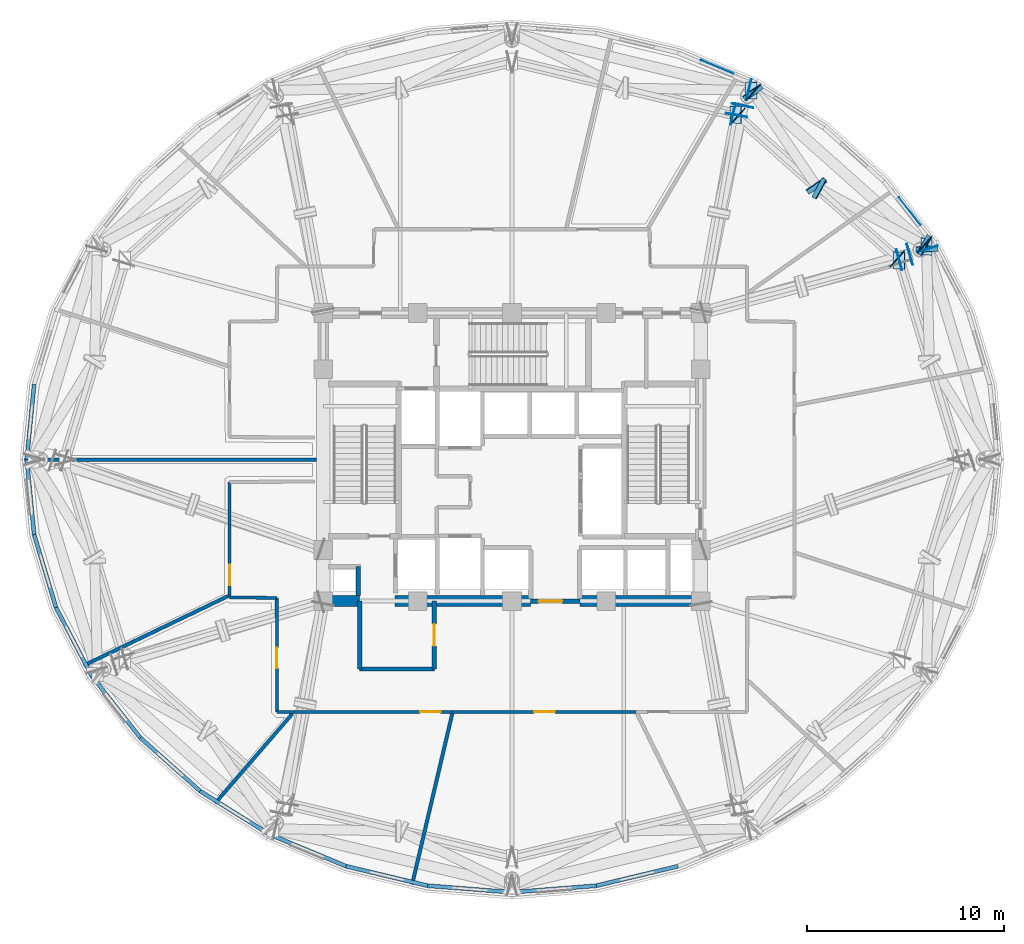
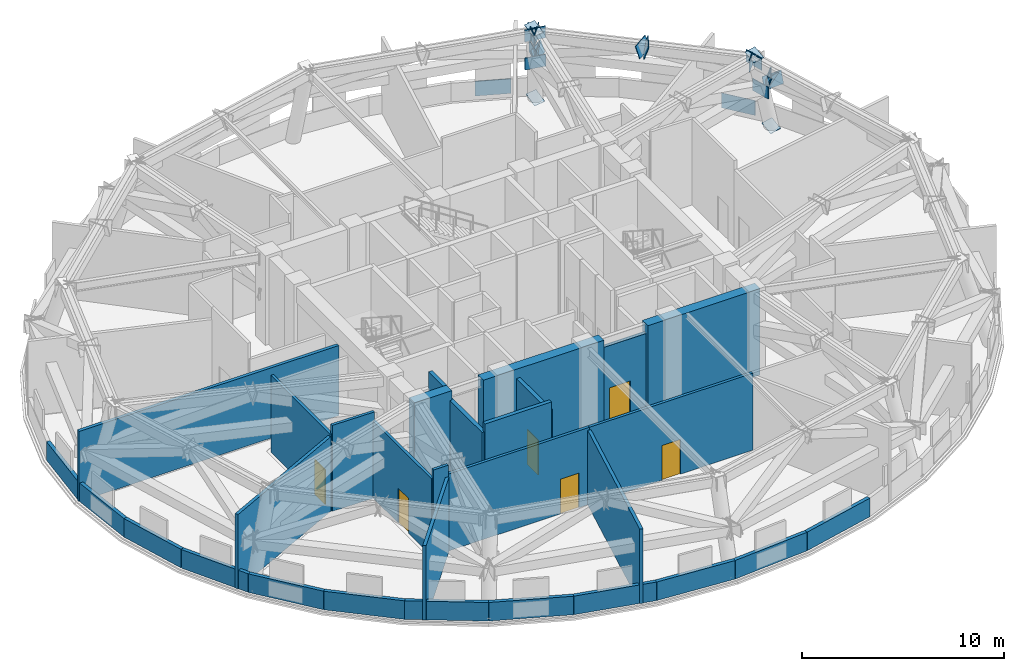
# One storey, part 6 of 13: 30 walls, 22 plates, 6 doors, 6 openings.
"""IFC4 building model written with IfcOpenShell, lengths in metres."""

from ifc_helpers import new_model, si_unit, direction, frame, frame_2d, origin, origin_2d, place, context, subcontext, project, spatial, polyline, rectangle, outline, extrude, material, layer, layer_set, type_object, element, fill, save


model = new_model("IFC4")

# Units and contexts
model_context = context("Model", 3, precision=1e-05, world=origin(), true_north=direction((0.0, 1.0)))
body_context = subcontext(model_context, "Body", "Model", "MODEL_VIEW")
ifc_project = project(units=[si_unit("LENGTHUNIT", "METRE"), si_unit("AREAUNIT", "SQUARE_METRE"), si_unit("VOLUMEUNIT", "CUBIC_METRE"), si_unit("PLANEANGLEUNIT", "RADIAN"), si_unit("MASSUNIT", "GRAM", prefix="KILO")], contexts=[model_context])

# Site, building, storey
site_placement = place(None, origin())
site = spatial("IfcSite", under=ifc_project, at=site_placement, CompositionType="ELEMENT")
building_placement = place(site_placement, origin())
building = spatial("IfcBuilding", under=site, at=building_placement, Name="Vantalir Tower", CompositionType="ELEMENT")
storey_placement = place(building_placement, frame((0.0, 0.0, 175.949951171875)))
storey = spatial("IfcBuildingStorey", under=building, at=storey_placement, Name="L44", CompositionType="ELEMENT", Elevation=175.949951171875)

# Plates
ifc_material_1 = material(Name="Steel S460", Category="steel")
ifc_layer_1 = layer(ifc_material_1, 0.044921875)
ifc_layer_set_1 = layer_set([ifc_layer_1], Name="Steel S460")
plate_type_1 = type_object("IfcPlateType", Name="PLT-BN-01", PredefinedType="USERDEFINED", material=ifc_layer_set_1)
plate_1_placement = place(storey_placement, frame((52.626953125, 35.7119140625, 2.4599609375), z_axis=(0.0, 0.0, 1.0), x_axis=(-0.28812941634, 0.957591478366, 0.0)))
element("IfcPlate", 1, at=plate_1_placement, inside=storey, type_object=plate_type_1, Name="Node Cap Plate MEM-L44-BTCB-01 End", ObjectType="FLANGE_PLATE", PredefinedType="USERDEFINED", context=body_context, shape_type="SweptSolid", body=[
    extrude(rectangle(XDim=0.044921875, YDim=1.10009765625, at=origin_2d()), origin(), (0.0, 0.0, 1.0), 0.719970703125),
])
plate_2_placement = place(storey_placement, frame((52.044677734375, 35.556396484375, 2.53564453125), z_axis=(0.022530398659, -0.939601070003, 0.341529223326), x_axis=(0.999712635233, 0.023971794983, 0.0)))
element("IfcPlate", 2, at=plate_2_placement, inside=storey, type_object=plate_type_1, Name="Node Cap Plate MEM-L44-BTDG-01B Start", ObjectType="FLANGE_PLATE", PredefinedType="USERDEFINED", context=body_context, shape_type="SweptSolid", body=[
    extrude(outline(polyline([(0.0, 0.0), (1.0999254548216215, 0.0), (1.0999612200322357, 0.7200538161872801), (3.5765210614329966e-05, 0.7200538161872801), (0.0, 0.0)])), origin(), (0.0, 0.0, -1.0), 0.044921875),
])
for number, where, z_axis, x_axis, name in (
    (3, (52.487060546875, 35.930908203125, 2.4599609375), (0.0, 0.0, 1.0), (-0.746858739968, 0.664982723485, 0.0), "Node Cap Plate MEM-L44-BTCB-02 Start"),
    (4, (43.77587890625, 43.68701171875, 2.4599609375), (0.0, 0.0, 1.0), (-0.746858739968, 0.664982723485, 0.0), "Node Cap Plate MEM-L44-BTCB-02 End"),
    (5, (51.10107421875, 35.217041015625, 4.56005859375), (0.0, 0.0, 1.0), (-0.7469051627, 0.664930581288, 0.0), "Node Cap Plate MEM-L44-BTCT-02 Start"),
    (6, (42.97607421875, 42.449951171875, 4.56005859375), (0.0, 0.0, 1.0), (-0.7469051627, 0.664930581288, 0.0), "Node Cap Plate MEM-L44-BTCT-02 End"),
):
    element("IfcPlate", number, at=place(storey_placement, frame(where, z_axis=z_axis, x_axis=x_axis)), inside=storey, type_object=plate_type_1, Name=name, ObjectType="FLANGE_PLATE", PredefinedType="USERDEFINED", context=body_context, shape_type="SweptSolid", body=[
        extrude(rectangle(XDim=0.044921875, YDim=1.10009765625, at=origin_2d()), origin(), (0.0, 0.0, 1.0), 0.719970703125),
    ])
plate_3_placement = place(storey_placement, frame((52.616943359375, 36.4501953125, 2.5283203125), z_axis=(-0.835172745071, 0.450226759698, 0.315883444869), x_axis=(-0.474523300623, -0.880242942128, 0.0)))
element("IfcPlate", 7, at=plate_3_placement, inside=storey, type_object=plate_type_1, Name="Node Cap Plate MEM-L44-BTDG-02A Start", ObjectType="FLANGE_PLATE", PredefinedType="USERDEFINED", context=body_context, shape_type="SweptSolid", body=[
    extrude(outline(polyline([(0.0, 0.0), (1.0999937317409516, 2.7755575615628914e-17), (1.0999835447072492, 0.7199693370562762), (-1.0187033702493964e-05, 0.7199693370562762), (0.0, 0.0)])), origin(), (0.0, 0.0, -1.0), 0.044921875),
])
plate_4_placement = place(storey_placement, frame((47.268798828125, 39.334228515625, 4.55224609375), z_axis=(-0.835084781028, 0.450389900811, 0.315883436955), x_axis=(-0.474695244348, -0.880150228651, 0.0)))
element("IfcPlate", 8, at=plate_4_placement, inside=storey, type_object=plate_type_1, Name="Node Cap Plate MEM-L44-BTDG-02A End", ObjectType="FLANGE_PLATE", PredefinedType="USERDEFINED", context=body_context, shape_type="SweptSolid", body=[
    extrude(outline(polyline([(0.0, 0.0), (1.1001096031464725, 2.7755575615628914e-17), (1.1000549890591473, 0.7199693350569389), (-5.4614087325252636e-05, 0.7199693350569389), (0.0, 0.0)])), origin(), (0.0, 0.0, -1.0), 0.044921875),
])
plate_5_placement = place(storey_placement, frame((43.371337890625, 43.245849609375, 2.53271484375), z_axis=(0.530779378566, -0.780095949954, 0.331245468128), x_axis=(0.826777325998, 0.562529334696, -2.8678365e-05)))
element("IfcPlate", 9, at=plate_5_placement, inside=storey, type_object=plate_type_1, Name="Node Cap Plate MEM-L44-BTDG-02B Start", ObjectType="FLANGE_PLATE", PredefinedType="USERDEFINED", context=body_context, shape_type="SweptSolid", body=[
    extrude(outline(polyline([(0.0, 0.0), (1.099901092153654, 2.7755575615628914e-17), (1.0998318444108621, 0.7201301247598484), (-0.00020658400614543152, 0.7200632591679851), (0.0, 0.0)])), origin(), (0.0, 0.0, -1.0), 0.044921875),
])
plate_6_placement = place(storey_placement, frame((46.60693359375, 38.490234375, 4.552978515625), z_axis=(0.530662207426, -0.780077633252, 0.331476255123), x_axis=(0.826823276387, 0.562461793924, 0.0)))
element("IfcPlate", 10, at=plate_6_placement, inside=storey, type_object=plate_type_1, Name="Node Cap Plate MEM-L44-BTDG-02B End", ObjectType="FLANGE_PLATE", PredefinedType="USERDEFINED", context=body_context, shape_type="SweptSolid", body=[
    extrude(outline(polyline([(0.0, 0.0), (1.0999010962758868, 5.551115123125783e-17), (1.0998318402888887, 0.7198997887243856), (-6.925598699818042e-05, 0.7198997887243856), (0.0, 0.0)])), origin(), (0.0, 0.0, -1.0), 0.044921875),
])
for number, where, z_axis, x_axis, name in (
    (11, (43.5439453125, 43.80810546875, 2.4599609375), (0.0, 0.0, 1.0), (-0.972694923667, 0.232087452208, 0.0), "Node Cap Plate MEM-L44-BTCB-03 Start"),
    (12, (42.743896484375, 42.571044921875, 4.56005859375), (0.0, 0.0, 1.0), (-0.972694923667, 0.232087452208, 0.0), "Node Cap Plate MEM-L44-BTCT-03 Start"),
    (13, (51.73388671875, 35.431884765625, 2.4599609375), (0.0, 0.0, 1.0), (0.962866291826, 0.269978710392, 0.0), "Node Cap Plate MEM-L44-ORCB-02 End"),
    (14, (51.195068359375, 35.156005859375, 4.56005859375), (0.0, 0.0, 1.0), (0.965912273231, 0.258869620506, 0.0), "Node Cap Plate MEM-L44-ORCT-02 End"),
    (15, (43.22998046875, 42.9990234375, 2.4599609375), (0.0, 0.0, 1.0), (0.197965291892, 0.980209030363, 0.0), "Node Cap Plate MEM-L44-ORCB-03 End"),
    (16, (42.922119140625, 42.51708984375, 4.56005859375), (0.0, 0.0, 1.0), (0.178098116029, 0.9840127342, 0.0), "Node Cap Plate MEM-L44-ORCT-03 End"),
):
    element("IfcPlate", number, at=place(storey_placement, frame(where, z_axis=z_axis, x_axis=x_axis)), inside=storey, type_object=plate_type_1, Name=name, ObjectType="FLANGE_PLATE", PredefinedType="USERDEFINED", context=body_context, shape_type="SweptSolid", body=[
        extrude(rectangle(XDim=0.044921875, YDim=1.10009765625, at=origin_2d()), origin(), (0.0, 0.0, 1.0), 0.719970703125),
    ])
ifc_layer_2 = layer(ifc_material_1, 0.035888671875)
ifc_layer_set_2 = layer_set([ifc_layer_2], Name="Steel S460")
plate_type_2 = type_object("IfcPlateType", Name="PLT-KN-Z2", PredefinedType="USERDEFINED", material=ifc_layer_set_2)
for number, where, z_axis, x_axis, name in (
    (17, (50.914306640625, 35.5693359375, 5.2333984375), (-0.254239181281, -0.131080684751, 0.958217247177), (3.3796273e-05, -0.990773878763, -0.135525348252), "L44 Ring Column Top Cap RC02"),
    (18, (52.2939453125, 36.280029296875, 0.037353515625), (-0.254239181281, -0.131080684751, 0.958217247177), (3.3796273e-05, -0.990773878763, -0.135525348252), "L44 Ring Column Base Cap RC02"),
):
    element("IfcPlate", number, at=place(storey_placement, frame(where, z_axis=z_axis, x_axis=x_axis)), inside=storey, type_object=plate_type_2, Name=name, ObjectType="FLANGE_PLATE", PredefinedType="USERDEFINED", context=body_context, shape_type="SweptSolid", body=[
        extrude(outline(polyline([(0.0, 0.0), (0.8799291726097362, 0.0), (0.8799967906854752, 0.5800655732898081), (3.4530832513243737e-05, 0.5801270718175938), (0.0, 0.0)])), origin(), (0.0, 0.0, -1.0), 0.035888671875),
    ])
plate_7_placement = place(storey_placement, frame((42.583984375, 42.9716796875, 5.306884765625), z_axis=(-0.147464842294, -0.228018554352, 0.962424884944), x_axis=(4.663515e-06, -0.973063253903, -0.230538291574)))
element("IfcPlate", 19, at=plate_7_placement, inside=storey, type_object=plate_type_2, Name="L44 Ring Column Top Cap RC03", ObjectType="FLANGE_PLATE", PredefinedType="USERDEFINED", context=body_context, shape_type="SweptSolid", body=[
    extrude(outline(polyline([(0.0, 0.0), (0.8801472692846426, 0.0), (0.8799623235195255, 0.5800680763652664), (5.2618505855358405e-05, 0.5800763751456683), (0.0, 0.0)])), origin(), (0.0, 0.0, -1.0), 0.035888671875),
])
plate_8_placement = place(storey_placement, frame((43.38037109375, 44.202880859375, 0.11083984375), z_axis=(-0.147512303995, -0.228047703414, 0.96241070502), x_axis=(0.0, -0.973055719843, -0.230570089304)))
element("IfcPlate", 20, at=plate_8_placement, inside=storey, type_object=plate_type_2, Name="L44 Ring Column Base Cap RC03", ObjectType="FLANGE_PLATE", PredefinedType="USERDEFINED", context=body_context, shape_type="SweptSolid", body=[
    extrude(outline(polyline([(0.0, 0.0), (0.8799097054930477, 0.0), (0.8799568521860602, 0.580076376284005), (4.714669301258273e-05, 0.580076376284005), (0.0, 0.0)])), origin(), (0.0, 0.0, -1.0), 0.035888671875),
])
ifc_material_2 = material(Name="Champagne-silver PVDF aluminium cassette", Category="aluminium")
ifc_layer_3 = layer(ifc_material_2, 0.02392578125)
ifc_layer_set_3 = layer_set([ifc_layer_3], Name="Champagne-silver PVDF aluminium cassette")
plate_type_3 = type_object("IfcPlateType", Name="PLT-SC-01", PredefinedType="SHEET", material=ifc_layer_set_3)
for number, where, z_axis, x_axis, name in (
    (21, (51.73193359375, 37.635009765625, 0.10009765625), (0.0, 0.0, 1.0), (-0.617585109014, 0.78650405792, 0.0), "L44 PVDF Aluminium Spandrel Cassette R04"),
    (22, (41.94091796875, 44.969970703125, 0.10009765625), (0.0, 0.0, 1.0), (-0.923290683488, 0.384101957537, 0.0), "L44 PVDF Aluminium Spandrel Cassette R07"),
):
    element("IfcPlate", number, at=place(storey_placement, frame(where, z_axis=z_axis, x_axis=x_axis)), inside=storey, type_object=plate_type_3, Name=name, PredefinedType="SHEET", context=body_context, shape_type="SweptSolid", body=[
        extrude(rectangle(XDim=1.800048828125, YDim=0.02392578125, at=origin_2d()), origin(), (0.0, 0.0, 1.0), 0.89990234375),
    ])

# Walls
ifc_material_3 = material(Name="Concrete C60/75", Category="concrete")
ifc_layer_4 = layer(ifc_material_3, 0.550048828125)
ifc_layer_set_4 = layer_set([ifc_layer_4], Name="Concrete C60/75")
wall_type_1 = type_object("IfcWallType", Name="WL-CORE-550", PredefinedType="SHEAR", material=ifc_layer_set_4)
wall_1_placement = place(storey_placement, frame((21.625, 17.800048828125, 0.0), z_axis=(0.0, 0.0, 1.0), x_axis=(1.0, 0.0, 0.0)))
element("IfcWall", 23, at=wall_1_placement, inside=storey, type_object=wall_type_1, Name="L44 Core Shear Wall South-West", PredefinedType="SHEAR", context=body_context, shape_type="SweptSolid", body=[
    extrude(rectangle(XDim=2.125, YDim=0.550048828125, at=frame_2d((1.0625, 0.0))), origin(), (0.0, 0.0, 1.0), 5.219970703125),
])
wall_2_placement = place(storey_placement, frame((25.550048828125, 17.800048828125, 0.0), z_axis=(0.0, 0.0, 1.0), x_axis=(1.0, 0.0, 0.0)))
element("IfcWall", 24, at=wall_2_placement, inside=storey, type_object=wall_type_1, Name="L44 Core Shear Wall South-Mid", PredefinedType="SHEAR", context=body_context, shape_type="SweptSolid", body=[
    extrude(rectangle(XDim=6.89990234375, YDim=0.550048828125, at=frame_2d((3.449951171875, 0.0))), origin(), (0.0, 0.0, 1.0), 5.219970703125),
])
wall_3_placement = place(storey_placement, frame((34.949951171875, 17.800048828125, 0.0), z_axis=(0.0, 0.0, 1.0), x_axis=(1.0, 0.0, 0.0)))
element("IfcWall", 25, at=wall_3_placement, inside=storey, type_object=wall_type_1, Name="L44 Core Shear Wall South-East", PredefinedType="SHEAR", context=body_context, shape_type="SweptSolid", body=[
    extrude(rectangle(XDim=6.425048828125, YDim=0.550048828125, at=frame_2d((3.21240234375, 0.0))), origin(), (0.0, 0.0, 1.0), 5.219970703125),
])

# Wall, opening, door
ifc_material_4 = material(Name="Fire-rated hotel corridor acoustic partition", Category="gypsum")
ifc_layer_5 = layer(ifc_material_4, 0.159912109375)
ifc_layer_set_5 = layer_set([ifc_layer_5], Name="Fire-rated hotel corridor acoustic partition")
wall_type_2 = type_object("IfcWallType", Name="WL-CORR-160", PredefinedType="PARTITIONING", material=ifc_layer_set_5)
wall_4_placement = place(storey_placement, frame((37.819091796875, 12.1650390625, 0.0), z_axis=(0.0, 0.0, 1.0), x_axis=(-0.999999901209, -0.000444502505, 0.0)))
wall_4 = element("IfcWall", 26, at=wall_4_placement, inside=storey, type_object=wall_type_2, Name="L44 Corridor Partition 24", PredefinedType="PARTITIONING", context=body_context, shape_type="SweptSolid", body=[
    extrude(rectangle(XDim=9.337158203125, YDim=0.159912109375, at=frame_2d((4.66845703125, 0.0))), origin(), (0.0, 0.0, 1.0), 4.656005859375),
])
opening_1_placement = place(wall_4_placement, frame((4.14404296875, 0.0, 0.0)))
opening_1 = element("IfcOpeningElement", 27, at=opening_1_placement, cuts=wall_4, Name="Opening D-ST", PredefinedType="OPENING", context=body_context, shape_type="SweptSolid", body=[
    extrude(rectangle(XDim=1.050048828125, YDim=2.10009765625, at=frame_2d((0.52490234375, 1.050048828125))), frame((0.0, 0.08984375, 0.0), z_axis=(0.0, -1.0, 0.0), x_axis=(1.0, 0.0, 0.0)), (0.0, 0.0, 1.0), 0.179931640625),
])
ifc_material_5 = material(Name="Fire-rated steel door leaf", Category="steel")
door_type_1 = type_object("IfcDoorType", Name="DR-FIRE-STAIR-1050", OperationType="NOTDEFINED", PredefinedType="DOOR", material=ifc_material_5)
door_1_placement = place(opening_1_placement, origin())
door_1 = element("IfcDoor", 28, at=door_1_placement, inside=storey, type_object=door_type_1, Name="L44 Refuge Area South Door", OperationType="SINGLE_SWING_RIGHT", OverallHeight=2.10009765625, OverallWidth=1.050048828125, PredefinedType="DOOR", context=body_context, shape_type="SweptSolid", body=[
    extrude(rectangle(XDim=1.050048828125, YDim=2.10009765625, at=frame_2d((0.52490234375, 1.050048828125))), frame((0.0, 0.02490234375, 0.0), z_axis=(0.0, -1.0, 0.0), x_axis=(1.0, 0.0, 0.0)), (0.0, 0.0, 1.0), 0.050048828125),
])
fill(opening_1, door_1)

wall_5_placement = place(storey_placement, frame((28.48193359375, 12.160888671875, 0.0), z_axis=(0.0, 0.0, 1.0), x_axis=(-0.99999988305, -0.00048363202, 0.0)))
wall_5 = element("IfcWall", 29, at=wall_5_placement, inside=storey, type_object=wall_type_2, Name="L44 Corridor Partition 25", PredefinedType="PARTITIONING", context=body_context, shape_type="SweptSolid", body=[
    extrude(rectangle(XDim=8.076904296875, YDim=0.159912109375, at=frame_2d((4.03857421875, 0.0))), origin(), (0.0, 0.0, 1.0), 4.656005859375),
])
opening_2_placement = place(wall_5_placement, frame((0.60693359375, 0.0, 0.0)))
opening_2 = element("IfcOpeningElement", 30, at=opening_2_placement, cuts=wall_5, Name="Opening D-ST", PredefinedType="OPENING", context=body_context, shape_type="SweptSolid", body=[
    extrude(rectangle(XDim=1.050048828125, YDim=2.10009765625, at=frame_2d((0.52490234375, 1.050048828125))), frame((0.0, 0.08984375, 0.0), z_axis=(0.0, -1.0, 0.0), x_axis=(1.0, 0.0, 0.0)), (0.0, 0.0, 1.0), 0.179931640625),
])
door_2_placement = place(opening_2_placement, origin())
door_2 = element("IfcDoor", 31, at=door_2_placement, inside=storey, type_object=door_type_1, Name="L44 Emergency UPS Battery Plant Room Door", OperationType="SINGLE_SWING_LEFT", OverallHeight=2.10009765625, OverallWidth=1.050048828125, PredefinedType="DOOR", context=body_context, shape_type="SweptSolid", body=[
    extrude(rectangle(XDim=1.050048828125, YDim=2.10009765625, at=frame_2d((0.52490234375, 1.050048828125))), frame((0.0, 0.02490234375, 0.0), z_axis=(0.0, -1.0, 0.0), x_axis=(1.0, 0.0, 0.0)), (0.0, 0.0, 1.0), 0.050048828125),
])
fill(opening_2, door_2)

# Wall
wall_6_placement = place(storey_placement, frame((20.405029296875, 12.156982421875, 0.0), z_axis=(0.0, 0.0, 1.0), x_axis=(-1.0, 0.0, 0.0)))
element("IfcWall", 32, at=wall_6_placement, inside=storey, type_object=wall_type_2, Name="L44 Corridor Partition 26", PredefinedType="PARTITIONING", context=body_context, shape_type="SweptSolid", body=[
    extrude(rectangle(XDim=0.85205078125, YDim=0.159912109375, at=frame_2d((0.426025390625, 0.0))), origin(), (0.0, 0.0, 1.0), 5.199951171875),
])

# Wall, opening, door
wall_7_placement = place(storey_placement, frame((19.552978515625, 12.156982421875, 0.0), z_axis=(0.0, 0.0, 1.0), x_axis=(-0.003113283747, 0.99999515372, 0.0)))
wall_7 = element("IfcWall", 33, at=wall_7_placement, inside=storey, type_object=wall_type_2, Name="L44 Corridor Partition 27", PredefinedType="PARTITIONING", context=body_context, shape_type="SweptSolid", body=[
    extrude(rectangle(XDim=5.802978515625, YDim=0.159912109375, at=frame_2d((2.9013671875, 0.0))), origin(), (0.0, 0.0, 1.0), 4.656005859375),
])
opening_3_placement = place(wall_7_placement, frame((2.22900390625, 0.0, 0.0)))
opening_3 = element("IfcOpeningElement", 34, at=opening_3_placement, cuts=wall_7, Name="Opening D-ST", PredefinedType="OPENING", context=body_context, shape_type="SweptSolid", body=[
    extrude(rectangle(XDim=1.050048828125, YDim=2.10009765625, at=frame_2d((0.52490234375, 1.050048828125))), frame((0.0, 0.08984375, 0.0), z_axis=(0.0, -1.0, 0.0), x_axis=(1.0, 0.0, 0.0)), (0.0, 0.0, 1.0), 0.179931640625),
])
door_3_placement = place(opening_3_placement, origin())
door_3 = element("IfcDoor", 35, at=door_3_placement, inside=storey, type_object=door_type_1, Name="L44 HV Transformer Electrical Plant Room Door", OperationType="SINGLE_SWING_RIGHT", OverallHeight=2.10009765625, OverallWidth=1.050048828125, PredefinedType="DOOR", context=body_context, shape_type="SweptSolid", body=[
    extrude(rectangle(XDim=1.050048828125, YDim=2.10009765625, at=frame_2d((0.52490234375, 1.050048828125))), frame((0.0, 0.02490234375, 0.0), z_axis=(0.0, -1.0, 0.0), x_axis=(1.0, 0.0, 0.0)), (0.0, 0.0, 1.0), 0.050048828125),
])
fill(opening_3, door_3)

# Wall
wall_8_placement = place(storey_placement, frame((19.534912109375, 17.9599609375, 0.0), z_axis=(0.0, 0.0, 1.0), x_axis=(-0.999911141048, 0.013330791724, 0.0)))
element("IfcWall", 36, at=wall_8_placement, inside=storey, type_object=wall_type_2, Name="L44 Corridor Partition 28", PredefinedType="PARTITIONING", context=body_context, shape_type="SweptSolid", body=[
    extrude(rectangle(XDim=2.399169921875, YDim=0.159912109375, at=frame_2d((1.19970703125, 0.0))), origin(), (0.0, 0.0, 1.0), 5.199951171875),
])

# Wall, opening, door
wall_9_placement = place(storey_placement, frame((17.135986328125, 17.991943359375, 0.0), z_axis=(0.0, 0.0, 1.0), x_axis=(0.0, 1.0, 0.0)))
wall_9 = element("IfcWall", 37, at=wall_9_placement, inside=storey, type_object=wall_type_2, Name="L44 Corridor Partition 29", PredefinedType="PARTITIONING", context=body_context, shape_type="SweptSolid", body=[
    extrude(rectangle(XDim=5.865966796875, YDim=0.159912109375, at=frame_2d((2.93310546875, 0.0))), origin(), (0.0, 0.0, 1.0), 4.656005859375),
])
opening_4_placement = place(wall_9_placement, frame((0.610107421875, 0.0, 0.0)))
opening_4 = element("IfcOpeningElement", 38, at=opening_4_placement, cuts=wall_9, Name="Opening D-ST", PredefinedType="OPENING", context=body_context, shape_type="SweptSolid", body=[
    extrude(rectangle(XDim=1.050048828125, YDim=2.10009765625, at=frame_2d((0.52490234375, 1.050048828125))), frame((0.0, 0.08984375, 0.0), z_axis=(0.0, -1.0, 0.0), x_axis=(1.0, 0.0, 0.0)), (0.0, 0.0, 1.0), 0.179931640625),
])
door_4_placement = place(opening_4_placement, origin())
door_4 = element("IfcDoor", 39, at=door_4_placement, inside=storey, type_object=door_type_1, Name="L44 West Air Handling Plant Room Door", OperationType="SINGLE_SWING_LEFT", OverallHeight=2.10009765625, OverallWidth=1.050048828125, PredefinedType="DOOR", context=body_context, shape_type="SweptSolid", body=[
    extrude(rectangle(XDim=1.050048828125, YDim=2.10009765625, at=frame_2d((0.52490234375, 1.050048828125))), frame((0.0, 0.02490234375, 0.0), z_axis=(0.0, -1.0, 0.0), x_axis=(1.0, 0.0, 0.0)), (0.0, 0.0, 1.0), 0.050048828125),
])
fill(opening_4, door_4)

ifc_material_6 = material(Name="Concrete blockwork with fireboard lining", Category="masonry")
ifc_layer_6 = layer(ifc_material_6, 0.219970703125)
ifc_layer_set_6 = layer_set([ifc_layer_6], Name="Concrete blockwork with fireboard lining")
wall_type_3 = type_object("IfcWallType", Name="WL-FFL-220", PredefinedType="PARTITIONING", material=ifc_layer_set_6)
wall_10_placement = place(storey_placement, frame((32.449951171875, 17.800048828125, 0.0), z_axis=(0.0, 0.0, 1.0), x_axis=(1.0, 0.0, 0.0)))
wall_10 = element("IfcWall", 40, at=wall_10_placement, inside=storey, type_object=wall_type_3, Name="L44 Passenger Lift Lobby South Wall", PredefinedType="PARTITIONING", context=body_context, shape_type="SweptSolid", body=[
    extrude(rectangle(XDim=2.5, YDim=0.219970703125, at=frame_2d((1.25, 0.0))), origin(), (0.0, 0.0, 1.0), 4.656005859375),
])
opening_5_placement = place(wall_10_placement, frame((0.39990234375, 0.0, 0.0)))
opening_5 = element("IfcOpeningElement", 41, at=opening_5_placement, cuts=wall_10, Name="Opening D-STE", PredefinedType="OPENING", context=body_context, shape_type="SweptSolid", body=[
    extrude(rectangle(XDim=1.199951171875, YDim=2.10009765625, at=frame_2d((0.60009765625, 1.050048828125))), frame((0.0, 0.119873046875, 0.0), z_axis=(0.0, -1.0, 0.0), x_axis=(1.0, 0.0, 0.0)), (0.0, 0.0, 1.0), 0.239990234375),
])
ifc_material_7 = material(Name="Solid-core teak veneer suite entrance door", Category="wood")
door_type_2 = type_object("IfcDoorType", Name="DR-SUITE-ENTRY-1200", OperationType="NOTDEFINED", PredefinedType="DOOR", material=ifc_material_7)
door_5_placement = place(opening_5_placement, origin())
door_5 = element("IfcDoor", 42, at=door_5_placement, inside=storey, type_object=door_type_2, Name="L44 Passenger Lift Lobby Concourse Door", OperationType="SINGLE_SWING_LEFT", OverallHeight=2.10009765625, OverallWidth=1.199951171875, PredefinedType="DOOR", context=body_context, shape_type="SweptSolid", body=[
    extrude(rectangle(XDim=1.199951171875, YDim=2.10009765625, at=frame_2d((0.60009765625, 1.050048828125))), frame((0.0, 0.02490234375, 0.0), z_axis=(0.0, -1.0, 0.0), x_axis=(1.0, 0.0, 0.0)), (0.0, 0.0, 1.0), 0.050048828125),
])
fill(opening_5, door_5)

# Walls
wall_11_placement = place(storey_placement, frame((23.679931640625, 18.074951171875, 0.0), z_axis=(0.0, 0.0, 1.0), x_axis=(0.0, 1.0, 0.0)))
element("IfcWall", 43, at=wall_11_placement, inside=storey, type_object=wall_type_3, Name="L44 West MEP Riser Wall E", PredefinedType="PARTITIONING", context=body_context, shape_type="SweptSolid", body=[
    extrude(rectangle(XDim=1.47509765625, YDim=0.219970703125, at=frame_2d((0.737548828125, 0.0))), origin(), (0.0, 0.0, 1.0), 5.199951171875),
])
wall_12_placement = place(storey_placement, frame((23.75, 14.35009765625, 0.0), z_axis=(0.0, 0.0, 1.0), x_axis=(0.0, 1.0, 0.0)))
element("IfcWall", 44, at=wall_12_placement, inside=storey, type_object=wall_type_3, Name="L44 Firefighting Lobby West Outer W", PredefinedType="PARTITIONING", context=body_context, shape_type="SweptSolid", body=[
    extrude(rectangle(XDim=3.449951171875, YDim=0.219970703125, at=frame_2d((1.72509765625, 0.0))), origin(), (0.0, 0.0, 1.0), 4.656005859375),
])
wall_13_placement = place(storey_placement, frame((23.75, 14.35009765625, 0.0), z_axis=(0.0, 0.0, 1.0), x_axis=(1.0, 0.0, 0.0)))
element("IfcWall", 45, at=wall_13_placement, inside=storey, type_object=wall_type_3, Name="L44 Firefighting Lobby West South Wall", PredefinedType="PARTITIONING", context=body_context, shape_type="SweptSolid", body=[
    extrude(rectangle(XDim=3.800048828125, YDim=0.219970703125, at=frame_2d((1.89990234375, 0.0))), origin(), (0.0, 0.0, 1.0), 5.199951171875),
])

# Wall, opening, door
wall_14_placement = place(storey_placement, frame((27.550048828125, 14.35009765625, 0.0), z_axis=(0.0, 0.0, 1.0), x_axis=(0.0, 1.0, 0.0)))
wall_14 = element("IfcWall", 46, at=wall_14_placement, inside=storey, type_object=wall_type_3, Name="L44 Firefighting Lobby West East Wall", PredefinedType="PARTITIONING", context=body_context, shape_type="SweptSolid", body=[
    extrude(rectangle(XDim=3.449951171875, YDim=0.219970703125, at=frame_2d((1.72509765625, 0.0))), origin(), (0.0, 0.0, 1.0), 4.656005859375),
])
opening_6_placement = place(wall_14_placement, frame((1.175048828125, 0.0, 0.0)))
opening_6 = element("IfcOpeningElement", 47, at=opening_6_placement, cuts=wall_14, Name="Opening D-FFL", PredefinedType="OPENING", context=body_context, shape_type="SweptSolid", body=[
    extrude(rectangle(XDim=1.10009765625, YDim=2.10009765625, at=frame_2d((0.550048828125, 1.050048828125))), frame((0.0, 0.119873046875, 0.0), z_axis=(0.0, -1.0, 0.0), x_axis=(1.0, 0.0, 0.0)), (0.0, 0.0, 1.0), 0.239990234375),
])
ifc_material_8 = material(Name="Fire-rated acoustic steel door", Category="steel")
door_type_3 = type_object("IfcDoorType", Name="DR-FIRE-LOBBY-1100", OperationType="NOTDEFINED", PredefinedType="DOOR", material=ifc_material_8)
door_6_placement = place(opening_6_placement, origin())
door_6 = element("IfcDoor", 48, at=door_6_placement, inside=storey, type_object=door_type_3, Name="L44 Firefighting Lobby West Access Door", OperationType="SINGLE_SWING_LEFT", OverallHeight=2.10009765625, OverallWidth=1.10009765625, PredefinedType="DOOR", context=body_context, shape_type="SweptSolid", body=[
    extrude(rectangle(XDim=1.10009765625, YDim=2.10009765625, at=frame_2d((0.550048828125, 1.050048828125))), frame((0.0, 0.02490234375, 0.0), z_axis=(0.0, -1.0, 0.0), x_axis=(1.0, 0.0, 0.0)), (0.0, 0.0, 1.0), 0.050048828125),
])
fill(opening_6, door_6)

# Walls
ifc_material_9 = material(Name="Twin-stud acoustic fire-rated gypsum partition", Category="gypsum")
ifc_layer_7 = layer(ifc_material_9, 0.179931640625)
ifc_layer_set_7 = layer_set([ifc_layer_7], Name="Twin-stud acoustic fire-rated gypsum partition")
wall_type_4 = type_object("IfcWallType", Name="WL-GUEST-180", PredefinedType="PARTITIONING", material=ifc_layer_set_7)
wall_15_placement = place(storey_placement, frame((21.550048828125, 25.0, 0.0), z_axis=(0.0, 0.0, 1.0), x_axis=(-1.0, 0.0, 0.0)))
element("IfcWall", 49, at=wall_15_placement, inside=storey, type_object=wall_type_4, Name="L44 Radial Suite Partition 08", PredefinedType="PARTITIONING", context=body_context, shape_type="SweptSolid", body=[
    extrude(rectangle(XDim=14.84912109375, YDim=0.179931640625, at=frame_2d((7.424560546875, 0.0))), origin(), (0.0, 0.0, 1.0), 4.2451171875),
])
wall_16_placement = place(storey_placement, frame((17.06005859375, 18.055908203125, 0.0), z_axis=(0.0, 0.0, 1.0), x_axis=(-0.901216652806, -0.43336883218, 0.0)))
element("IfcWall", 50, at=wall_16_placement, inside=storey, type_object=wall_type_4, Name="L44 Radial Suite Partition 09", PredefinedType="PARTITIONING", context=body_context, shape_type="SweptSolid", body=[
    extrude(rectangle(XDim=8.150146484375, YDim=0.179931640625, at=frame_2d((4.0751953125, 0.0))), origin(), (0.0, 0.0, 1.0), 4.5029296875),
])
wall_17_placement = place(storey_placement, frame((20.333984375, 12.074951171875, 0.0), z_axis=(0.0, 0.0, 1.0), x_axis=(-0.65372654314, -0.756730868139, 0.0)))
element("IfcWall", 51, at=wall_17_placement, inside=storey, type_object=wall_type_4, Name="L44 Radial Suite Partition 10", PredefinedType="PARTITIONING", context=body_context, shape_type="SweptSolid", body=[
    extrude(rectangle(XDim=6.017822265625, YDim=0.179931640625, at=frame_2d((3.0087890625, 0.0))), origin(), (0.0, 0.0, 1.0), 4.5029296875),
])
wall_18_placement = place(storey_placement, frame((28.4619140625, 12.074951171875, 0.0), z_axis=(0.0, 0.0, 1.0), x_axis=(-0.228770879463, -0.973480294978, 0.0)))
element("IfcWall", 52, at=wall_18_placement, inside=storey, type_object=wall_type_4, Name="L44 Radial Suite Partition 11", PredefinedType="PARTITIONING", context=body_context, shape_type="SweptSolid", body=[
    extrude(rectangle(XDim=8.921630859375, YDim=0.179931640625, at=frame_2d((4.4609375, 0.0))), origin(), (0.0, 0.0, 1.0), 4.5029296875),
])
ifc_material_10 = material(Name="Concrete C40/50 parapet upstand", Category="concrete")
ifc_layer_8 = layer(ifc_material_10, 0.199951171875)
ifc_layer_set_8 = layer_set([ifc_layer_8], Name="Concrete C40/50 parapet upstand")
wall_type_5 = type_object("IfcWallType", Name="WL-PARA-200", PredefinedType="PARAPET", material=ifc_layer_set_8)
for number, where, z_axis, x_axis, name in (
    (53, (7.195068359375, 28.822021484375, 0.0), (0.0, 0.0, 1.0), (-0.097646737075, -0.995221138611, 0.0), "L44 Refuge Perimeter Parapet R18"),
    (54, (6.820068359375, 25.0, 0.0), (0.0, 0.0, 1.0), (0.097646737075, -0.995221138611, 0.0), "L44 Refuge Perimeter Parapet R19"),
):
    element("IfcWall", number, at=place(storey_placement, frame(where, z_axis=z_axis, x_axis=x_axis)), inside=storey, type_object=wall_type_5, Name=name, PredefinedType="PARAPET", context=body_context, shape_type="SweptSolid", body=[
        extrude(rectangle(XDim=3.84033203125, YDim=0.199951171875, at=frame_2d((1.920166015625, 0.0))), origin(), (0.0, 0.0, 1.0), 1.1201171875),
    ])
wall_19_placement = place(storey_placement, frame((7.195068359375, 21.177978515625, 0.0), z_axis=(0.0, 0.0, 1.0), x_axis=(0.28756777926, -0.957760289598, 0.0)))
element("IfcWall", 55, at=wall_19_placement, inside=storey, type_object=wall_type_5, Name="L44 Refuge Perimeter Parapet R20", PredefinedType="PARAPET", context=body_context, shape_type="SweptSolid", body=[
    extrude(rectangle(XDim=3.87060546875, YDim=0.199951171875, at=frame_2d((1.935302734375, 0.0))), origin(), (0.0, 0.0, 1.0), 1.1201171875),
])
wall_20_placement = place(storey_placement, frame((8.30810546875, 17.470947265625, 0.0), z_axis=(0.0, 0.0, 1.0), x_axis=(0.463318628084, -0.886191767549, 0.0)))
element("IfcWall", 56, at=wall_20_placement, inside=storey, type_object=wall_type_5, Name="L44 Refuge Perimeter Parapet R21", PredefinedType="PARAPET", context=body_context, shape_type="SweptSolid", body=[
    extrude(rectangle(XDim=3.923583984375, YDim=0.199951171875, at=frame_2d((1.9619140625, 0.0))), origin(), (0.0, 0.0, 1.0), 1.1201171875),
])
wall_21_placement = place(storey_placement, frame((10.1259765625, 13.993896484375, 0.0), z_axis=(0.0, 0.0, 1.0), x_axis=(0.617613767336, -0.786481553755, 0.0)))
element("IfcWall", 57, at=wall_21_placement, inside=storey, type_object=wall_type_5, Name="L44 Refuge Perimeter Parapet R22", PredefinedType="PARAPET", context=body_context, shape_type="SweptSolid", body=[
    extrude(rectangle(XDim=3.99609375, YDim=0.199951171875, at=frame_2d((1.998046875, 0.0))), origin(), (0.0, 0.0, 1.0), 1.1201171875),
])
wall_22_placement = place(storey_placement, frame((12.593994140625, 10.85107421875, 0.0), z_axis=(0.0, 0.0, 1.0), x_axis=(0.746294630342, -0.665615748554, 0.0)))
element("IfcWall", 58, at=wall_22_placement, inside=storey, type_object=wall_type_5, Name="L44 Refuge Perimeter Parapet R23", PredefinedType="PARAPET", context=body_context, shape_type="SweptSolid", body=[
    extrude(rectangle(XDim=4.076171875, YDim=0.199951171875, at=frame_2d((2.0380859375, 0.0))), origin(), (0.0, 0.0, 1.0), 1.1201171875),
])
wall_23_placement = place(storey_placement, frame((15.635986328125, 8.137939453125, 0.0), z_axis=(0.0, 0.0, 1.0), x_axis=(0.848163323241, -0.529734817723, 0.0)))
element("IfcWall", 59, at=wall_23_placement, inside=storey, type_object=wall_type_5, Name="L44 Refuge Perimeter Parapet R24", PredefinedType="PARAPET", context=body_context, shape_type="SweptSolid", body=[
    extrude(rectangle(XDim=4.15478515625, YDim=0.199951171875, at=frame_2d((2.077392578125, 0.0))), origin(), (0.0, 0.0, 1.0), 1.1201171875),
])
wall_24_placement = place(storey_placement, frame((19.159912109375, 5.93701171875, 0.0), z_axis=(0.0, 0.0, 1.0), x_axis=(0.92329399342, -0.384094001145, 0.0)))
element("IfcWall", 60, at=wall_24_placement, inside=storey, type_object=wall_type_5, Name="L44 Refuge Perimeter Parapet R25", PredefinedType="PARAPET", context=body_context, shape_type="SweptSolid", body=[
    extrude(rectangle(XDim=4.22314453125, YDim=0.199951171875, at=frame_2d((2.111572265625, 0.0))), origin(), (0.0, 0.0, 1.0), 1.1201171875),
])
wall_25_placement = place(storey_placement, frame((23.05908203125, 4.31494140625, 0.0), z_axis=(0.0, 0.0, 1.0), x_axis=(0.972614569431, -0.232423964621, 0.0)))
element("IfcWall", 61, at=wall_25_placement, inside=storey, type_object=wall_type_5, Name="L44 Refuge Perimeter Parapet R26", PredefinedType="PARAPET", context=body_context, shape_type="SweptSolid", body=[
    extrude(rectangle(XDim=4.27197265625, YDim=0.199951171875, at=frame_2d((2.135986328125, 0.0))), origin(), (0.0, 0.0, 1.0), 1.1201171875),
])
for number, where, z_axis, x_axis, name in (
    (62, (27.214111328125, 3.322021484375, 0.0), (0.0, 0.0, 1.0), (0.996977487805, -0.077690982815, 0.0), "L44 Refuge Perimeter Parapet R27"),
    (63, (31.5, 2.988037109375, 0.0), (0.0, 0.0, 1.0), (0.996977487805, 0.077690982815, 0.0), "L44 Refuge Perimeter Parapet R28"),
):
    element("IfcWall", number, at=place(storey_placement, frame(where, z_axis=z_axis, x_axis=x_axis)), inside=storey, type_object=wall_type_5, Name=name, PredefinedType="PARAPET", context=body_context, shape_type="SweptSolid", body=[
        extrude(rectangle(XDim=4.298828125, YDim=0.199951171875, at=frame_2d((2.1494140625, 0.0))), origin(), (0.0, 0.0, 1.0), 1.1201171875),
    ])
wall_26_placement = place(storey_placement, frame((35.785888671875, 3.322021484375, 0.0), z_axis=(0.0, 0.0, 1.0), x_axis=(0.972614569431, 0.232423964621, 0.0)))
element("IfcWall", 64, at=wall_26_placement, inside=storey, type_object=wall_type_5, Name="L44 Refuge Perimeter Parapet R29", PredefinedType="PARAPET", context=body_context, shape_type="SweptSolid", body=[
    extrude(rectangle(XDim=4.27197265625, YDim=0.199951171875, at=frame_2d((2.135986328125, 0.0))), origin(), (0.0, 0.0, 1.0), 1.1201171875),
])

save(model, "model.ifc")
